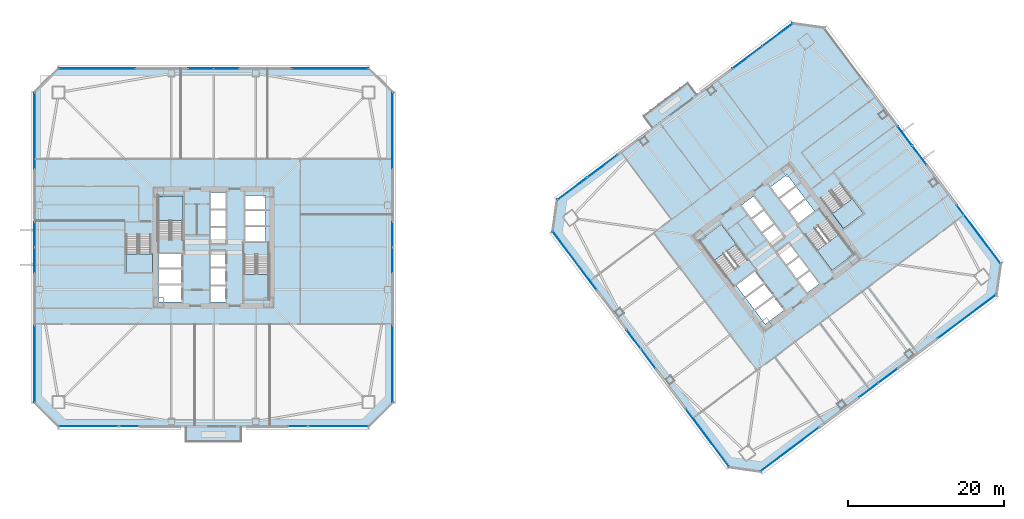
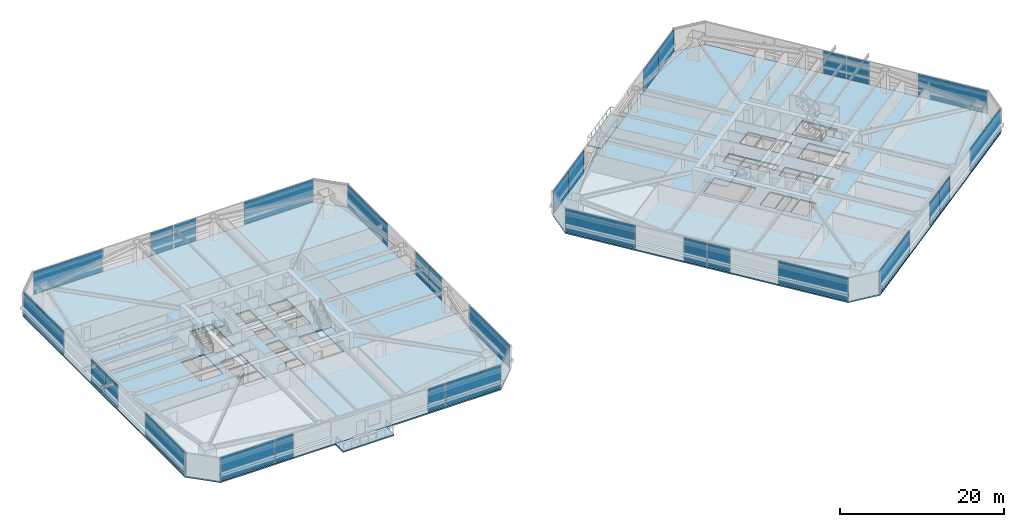
# One storey, part 32 of 46: 31 plates, 10 slabs, 29 elements without a shape of their own.
"""IFC4 building model written with IfcOpenShell, lengths in metres."""

from ifc_helpers import new_model, si_unit, direction, frame, origin, origin_2d, place, context, subcontext, project, spatial, polyline, rectangle, outline, extrude, material, layer, layer_set, type_object, element, aggregate, save


model = new_model("IFC4")

# Units and contexts
model_context = context("Model", 3, precision=1e-05, world=origin(), true_north=direction((0.0, 1.0)))
body_context = subcontext(model_context, "Body", "Model", "MODEL_VIEW")
ifc_project = project(units=[si_unit("LENGTHUNIT", "METRE"), si_unit("AREAUNIT", "SQUARE_METRE"), si_unit("VOLUMEUNIT", "CUBIC_METRE"), si_unit("PLANEANGLEUNIT", "RADIAN"), si_unit("MASSUNIT", "GRAM", prefix="KILO")], contexts=[model_context])

# Site, building, storey
site_placement = place(None, origin())
site = spatial("IfcSite", under=ifc_project, at=site_placement, CompositionType="ELEMENT")
building_placement = place(site_placement, origin())
building = spatial("IfcBuilding", under=site, at=building_placement, Name="Tashvorn Skyway Center", CompositionType="ELEMENT")
storey_placement = place(building_placement, frame((0.0, 0.0, 38.800048828125)))
storey = spatial("IfcBuildingStorey", under=building, at=storey_placement, Name="L09", CompositionType="ELEMENT", Elevation=38.800048828125)

# Curtain wall, plate
ifc_material_1 = material(Name="Thermally broken bronze-anodized aluminium 6063-T6", Category="aluminium")
curtain_wall_type = type_object("IfcCurtainWallType", Name="CW-CW-Z1", PredefinedType="NOTDEFINED", material=ifc_material_1)
curtain_wall_1_placement = place(storey_placement, origin())
curtain_wall_1 = element("IfcCurtainWall", 1, at=curtain_wall_1_placement, inside=storey, type_object=curtain_wall_type, Name="Tower 1 L09 South Curtain Wall L Glazing Group 1", PredefinedType="NOTDEFINED")
ifc_material_2 = material(Name="Low-E solar-control double insulating safety glass", Category="glass")
ifc_layer_1 = layer(ifc_material_2, 0.048095703125)
ifc_layer_set_1 = layer_set([ifc_layer_1], Name="Low-E solar-control double insulating safety glass")
plate_type = type_object("IfcPlateType", Name="CWP-CW-Z1", PredefinedType="CURTAIN_PANEL", material=ifc_layer_set_1)
plate_1_placement = place(storey_placement, frame((57.972412109375, 9.1201171875, 0.0849609375), z_axis=(0.0, 0.0, 1.0), x_axis=(-1.0, 0.0, 0.0)))
plate_1 = element("IfcPlate", 2, at=plate_1_placement, type_object=plate_type, Name="CW-Z1 panel 1.1", PredefinedType="CURTAIN_PANEL", context=body_context, shape_type="SweptSolid", body=[
    extrude(rectangle(XDim=7.64501953125, YDim=0.048095703125, at=origin_2d()), origin(), (0.0, 0.0, 1.0), 3.3798828125),
])
aggregate(curtain_wall_1, [plate_1])

curtain_wall_2_placement = place(storey_placement, origin())
curtain_wall_2 = element("IfcCurtainWall", 3, at=curtain_wall_2_placement, inside=storey, type_object=curtain_wall_type, Name="Tower 1 L09 South Curtain Wall L Glazing Group 2", PredefinedType="NOTDEFINED")
plate_2_placement = place(storey_placement, frame((52.762451171875, 9.1201171875, 0.0849609375), z_axis=(0.0, 0.0, 1.0), x_axis=(-1.0, 0.0, 0.0)))
plate_2 = element("IfcPlate", 4, at=plate_2_placement, type_object=plate_type, Name="CW-Z1 panel 1.1", PredefinedType="CURTAIN_PANEL", context=body_context, shape_type="SweptSolid", body=[
    extrude(rectangle(XDim=2.43505859375, YDim=0.048095703125, at=origin_2d()), origin(), (0.0, 0.0, 1.0), 3.3798828125),
])
aggregate(curtain_wall_2, [plate_2])

curtain_wall_3_placement = place(storey_placement, origin())
curtain_wall_3 = element("IfcCurtainWall", 5, at=curtain_wall_3_placement, inside=storey, type_object=curtain_wall_type, Name="Tower 1 L09 South Curtain Wall R Glazing Group 1", PredefinedType="NOTDEFINED")
plate_3_placement = place(storey_placement, frame((31.237548828125, 9.1201171875, 0.0849609375), z_axis=(0.0, 0.0, 1.0), x_axis=(-1.0, 0.0, 0.0)))
plate_3 = element("IfcPlate", 6, at=plate_3_placement, type_object=plate_type, Name="CW-Z1 panel 1.1", PredefinedType="CURTAIN_PANEL", context=body_context, shape_type="SweptSolid", body=[
    extrude(rectangle(XDim=2.43505859375, YDim=0.048095703125, at=origin_2d()), origin(), (0.0, 0.0, 1.0), 3.3798828125),
])
aggregate(curtain_wall_3, [plate_3])

curtain_wall_4_placement = place(storey_placement, origin())
curtain_wall_4 = element("IfcCurtainWall", 7, at=curtain_wall_4_placement, inside=storey, type_object=curtain_wall_type, Name="Tower 1 L09 South Curtain Wall R Glazing Group 2", PredefinedType="NOTDEFINED")
plate_4_placement = place(storey_placement, frame((26.027587890625, 9.1201171875, 0.0849609375), z_axis=(0.0, 0.0, 1.0), x_axis=(-1.0, 0.0, 0.0)))
plate_4 = element("IfcPlate", 8, at=plate_4_placement, type_object=plate_type, Name="CW-Z1 panel 1.1", PredefinedType="CURTAIN_PANEL", context=body_context, shape_type="SweptSolid", body=[
    extrude(rectangle(XDim=7.64501953125, YDim=0.048095703125, at=origin_2d()), origin(), (0.0, 0.0, 1.0), 3.3798828125),
])
aggregate(curtain_wall_4, [plate_4])

curtain_wall_5_placement = place(storey_placement, origin())
curtain_wall_5 = element("IfcCurtainWall", 9, at=curtain_wall_5_placement, inside=storey, type_object=curtain_wall_type, Name="Tower 1 L09 West Unitised Curtain Wall Glazing Group 1", PredefinedType="NOTDEFINED")
plate_5_placement = place(storey_placement, frame((19.1201171875, 17.090087890625, 0.0849609375), z_axis=(0.0, 0.0, 1.0), x_axis=(0.0, 1.0, 0.0)))
plate_5 = element("IfcPlate", 10, at=plate_5_placement, type_object=plate_type, Name="CW-Z1 panel 1.1", PredefinedType="CURTAIN_PANEL", context=body_context, shape_type="SweptSolid", body=[
    extrude(rectangle(XDim=9.77001953125, YDim=0.048095703125, at=origin_2d()), origin(), (0.0, 0.0, 1.0), 3.3798828125),
])
aggregate(curtain_wall_5, [plate_5])

# Curtain wall, plates
curtain_wall_6_placement = place(storey_placement, origin())
curtain_wall_6 = element("IfcCurtainWall", 11, at=curtain_wall_6_placement, inside=storey, type_object=curtain_wall_type, Name="Tower 1 L09 West Unitised Curtain Wall Glazing Group 2", PredefinedType="NOTDEFINED")
plate_6_placement = place(storey_placement, frame((19.1201171875, 30.364501953125, 0.0849609375), z_axis=(0.0, 0.0, 1.0), x_axis=(0.0, 1.0, 0.0)))
plate_6 = element("IfcPlate", 12, at=plate_6_placement, type_object=plate_type, Name="CW-Z1 panel 1.1", PredefinedType="CURTAIN_PANEL", context=body_context, shape_type="SweptSolid", body=[
    extrude(rectangle(XDim=3.185791015625, YDim=0.048095703125, at=origin_2d()), origin(), (0.0, 0.0, 1.0), 3.3798828125),
])
plate_7_placement = place(storey_placement, frame((19.1201171875, 33.635498046875, 0.0849609375), z_axis=(0.0, 0.0, 1.0), x_axis=(0.0, 1.0, 0.0)))
plate_7 = element("IfcPlate", 13, at=plate_7_placement, type_object=plate_type, Name="CW-Z1 panel 2.1", PredefinedType="CURTAIN_PANEL", context=body_context, shape_type="SweptSolid", body=[
    extrude(rectangle(XDim=3.185791015625, YDim=0.048095703125, at=origin_2d()), origin(), (0.0, 0.0, 1.0), 3.3798828125),
])
aggregate(curtain_wall_6, [plate_6, plate_7])

# Curtain wall, plate
curtain_wall_7_placement = place(storey_placement, origin())
curtain_wall_7 = element("IfcCurtainWall", 14, at=curtain_wall_7_placement, inside=storey, type_object=curtain_wall_type, Name="Tower 1 L09 West Unitised Curtain Wall Glazing Group 3", PredefinedType="NOTDEFINED")
plate_8_placement = place(storey_placement, frame((19.1201171875, 46.909912109375, 0.0849609375), z_axis=(0.0, 0.0, 1.0), x_axis=(0.0, 1.0, 0.0)))
plate_8 = element("IfcPlate", 15, at=plate_8_placement, type_object=plate_type, Name="CW-Z1 panel 1.1", PredefinedType="CURTAIN_PANEL", context=body_context, shape_type="SweptSolid", body=[
    extrude(rectangle(XDim=9.77001953125, YDim=0.048095703125, at=origin_2d()), origin(), (0.0, 0.0, 1.0), 3.3798828125),
])
aggregate(curtain_wall_7, [plate_8])

curtain_wall_8_placement = place(storey_placement, origin())
curtain_wall_8 = element("IfcCurtainWall", 16, at=curtain_wall_8_placement, inside=storey, type_object=curtain_wall_type, Name="Tower 1 L09 North Unitised Curtain Wall Glazing Group 1", PredefinedType="NOTDEFINED")
plate_9_placement = place(storey_placement, frame((27.090087890625, 54.8798828125, 0.0849609375), z_axis=(0.0, 0.0, 1.0), x_axis=(1.0, 0.0, 0.0)))
plate_9 = element("IfcPlate", 17, at=plate_9_placement, type_object=plate_type, Name="CW-Z1 panel 1.1", PredefinedType="CURTAIN_PANEL", context=body_context, shape_type="SweptSolid", body=[
    extrude(rectangle(XDim=9.77001953125, YDim=0.048095703125, at=origin_2d()), origin(), (0.0, 0.0, 1.0), 3.3798828125),
])
aggregate(curtain_wall_8, [plate_9])

# Curtain wall, plates
curtain_wall_9_placement = place(storey_placement, origin())
curtain_wall_9 = element("IfcCurtainWall", 18, at=curtain_wall_9_placement, inside=storey, type_object=curtain_wall_type, Name="Tower 1 L09 North Unitised Curtain Wall Glazing Group 2", PredefinedType="NOTDEFINED")
plate_10_placement = place(storey_placement, frame((40.364501953125, 54.8798828125, 0.0849609375), z_axis=(0.0, 0.0, 1.0), x_axis=(1.0, 0.0, 0.0)))
plate_10 = element("IfcPlate", 19, at=plate_10_placement, type_object=plate_type, Name="CW-Z1 panel 1.1", PredefinedType="CURTAIN_PANEL", context=body_context, shape_type="SweptSolid", body=[
    extrude(rectangle(XDim=3.185791015625, YDim=0.048095703125, at=origin_2d()), origin(), (0.0, 0.0, 1.0), 3.3798828125),
])
plate_11_placement = place(storey_placement, frame((43.635498046875, 54.8798828125, 0.0849609375), z_axis=(0.0, 0.0, 1.0), x_axis=(1.0, 0.0, 0.0)))
plate_11 = element("IfcPlate", 20, at=plate_11_placement, type_object=plate_type, Name="CW-Z1 panel 2.1", PredefinedType="CURTAIN_PANEL", context=body_context, shape_type="SweptSolid", body=[
    extrude(rectangle(XDim=3.185791015625, YDim=0.048095703125, at=origin_2d()), origin(), (0.0, 0.0, 1.0), 3.3798828125),
])
aggregate(curtain_wall_9, [plate_10, plate_11])

# Curtain wall, plate
curtain_wall_10_placement = place(storey_placement, origin())
curtain_wall_10 = element("IfcCurtainWall", 21, at=curtain_wall_10_placement, inside=storey, type_object=curtain_wall_type, Name="Tower 1 L09 North Unitised Curtain Wall Glazing Group 3", PredefinedType="NOTDEFINED")
plate_12_placement = place(storey_placement, frame((56.909912109375, 54.8798828125, 0.0849609375), z_axis=(0.0, 0.0, 1.0), x_axis=(1.0, 0.0, 0.0)))
plate_12 = element("IfcPlate", 22, at=plate_12_placement, type_object=plate_type, Name="CW-Z1 panel 1.1", PredefinedType="CURTAIN_PANEL", context=body_context, shape_type="SweptSolid", body=[
    extrude(rectangle(XDim=9.77001953125, YDim=0.048095703125, at=origin_2d()), origin(), (0.0, 0.0, 1.0), 3.3798828125),
])
aggregate(curtain_wall_10, [plate_12])

curtain_wall_11_placement = place(storey_placement, origin())
curtain_wall_11 = element("IfcCurtainWall", 23, at=curtain_wall_11_placement, inside=storey, type_object=curtain_wall_type, Name="Tower 1 L09 East Unitised Curtain Wall Glazing Group 1", PredefinedType="NOTDEFINED")
plate_13_placement = place(storey_placement, frame((64.8798828125, 46.909912109375, 0.0849609375), z_axis=(0.0, 0.0, 1.0), x_axis=(0.0, -1.0, 0.0)))
plate_13 = element("IfcPlate", 24, at=plate_13_placement, type_object=plate_type, Name="CW-Z1 panel 1.1", PredefinedType="CURTAIN_PANEL", context=body_context, shape_type="SweptSolid", body=[
    extrude(rectangle(XDim=9.77001953125, YDim=0.048095703125, at=origin_2d()), origin(), (0.0, 0.0, 1.0), 3.3798828125),
])
aggregate(curtain_wall_11, [plate_13])

# Curtain wall, plates
curtain_wall_12_placement = place(storey_placement, origin())
curtain_wall_12 = element("IfcCurtainWall", 25, at=curtain_wall_12_placement, inside=storey, type_object=curtain_wall_type, Name="Tower 1 L09 East Unitised Curtain Wall Glazing Group 2", PredefinedType="NOTDEFINED")
plate_14_placement = place(storey_placement, frame((64.8798828125, 33.635498046875, 0.0849609375), z_axis=(0.0, 0.0, 1.0), x_axis=(0.0, -1.0, 0.0)))
plate_14 = element("IfcPlate", 26, at=plate_14_placement, type_object=plate_type, Name="CW-Z1 panel 1.1", PredefinedType="CURTAIN_PANEL", context=body_context, shape_type="SweptSolid", body=[
    extrude(rectangle(XDim=3.185791015625, YDim=0.048095703125, at=origin_2d()), origin(), (0.0, 0.0, 1.0), 3.3798828125),
])
plate_15_placement = place(storey_placement, frame((64.8798828125, 30.364501953125, 0.0849609375), z_axis=(0.0, 0.0, 1.0), x_axis=(0.0, -1.0, 0.0)))
plate_15 = element("IfcPlate", 27, at=plate_15_placement, type_object=plate_type, Name="CW-Z1 panel 2.1", PredefinedType="CURTAIN_PANEL", context=body_context, shape_type="SweptSolid", body=[
    extrude(rectangle(XDim=3.185791015625, YDim=0.048095703125, at=origin_2d()), origin(), (0.0, 0.0, 1.0), 3.3798828125),
])
aggregate(curtain_wall_12, [plate_14, plate_15])

# Curtain wall, plate
curtain_wall_13_placement = place(storey_placement, origin())
curtain_wall_13 = element("IfcCurtainWall", 28, at=curtain_wall_13_placement, inside=storey, type_object=curtain_wall_type, Name="Tower 1 L09 East Unitised Curtain Wall Glazing Group 3", PredefinedType="NOTDEFINED")
plate_16_placement = place(storey_placement, frame((64.8798828125, 17.090087890625, 0.0849609375), z_axis=(0.0, 0.0, 1.0), x_axis=(0.0, -1.0, 0.0)))
plate_16 = element("IfcPlate", 29, at=plate_16_placement, type_object=plate_type, Name="CW-Z1 panel 1.1", PredefinedType="CURTAIN_PANEL", context=body_context, shape_type="SweptSolid", body=[
    extrude(rectangle(XDim=9.77001953125, YDim=0.048095703125, at=origin_2d()), origin(), (0.0, 0.0, 1.0), 3.3798828125),
])
aggregate(curtain_wall_13, [plate_16])

curtain_wall_14_placement = place(storey_placement, origin())
curtain_wall_14 = element("IfcCurtainWall", 30, at=curtain_wall_14_placement, inside=storey, type_object=curtain_wall_type, Name="Tower 2 L09 South Unitised Curtain Wall Glazing Group 1", PredefinedType="NOTDEFINED")
plate_17_placement = place(storey_placement, frame((138.3359375, 23.152099609375, 0.0849609375), z_axis=(0.0, 0.0, 1.0), x_axis=(-0.799999999998, -0.600000000002, 0.0)))
plate_17 = element("IfcPlate", 31, at=plate_17_placement, type_object=plate_type, Name="CW-Z1 panel 1.1", PredefinedType="CURTAIN_PANEL", context=body_context, shape_type="SweptSolid", body=[
    extrude(rectangle(XDim=9.27001953125, YDim=0.048095703125, at=origin_2d()), origin(), (0.0, 0.0, 1.0), 3.3798828125),
])
aggregate(curtain_wall_14, [plate_17])

# Curtain wall, plates
curtain_wall_15_placement = place(storey_placement, origin())
curtain_wall_15 = element("IfcCurtainWall", 32, at=curtain_wall_15_placement, inside=storey, type_object=curtain_wall_type, Name="Tower 2 L09 South Unitised Curtain Wall Glazing Group 2", PredefinedType="NOTDEFINED")
plate_18_placement = place(storey_placement, frame((128.249755859375, 15.587158203125, 0.0849609375), z_axis=(0.0, 0.0, 1.0), x_axis=(-0.799996186392, -0.600005084776, 0.0)))
plate_18 = element("IfcPlate", 33, at=plate_18_placement, type_object=plate_type, Name="CW-Z1 panel 1.1", PredefinedType="CURTAIN_PANEL", context=body_context, shape_type="SweptSolid", body=[
    extrude(rectangle(XDim=3.01904296875, YDim=0.048095703125, at=origin_2d()), origin(), (0.0, 0.0, 1.0), 3.3798828125),
])
plate_19_placement = place(storey_placement, frame((125.766357421875, 13.724853515625, 0.0849609375), z_axis=(0.0, 0.0, 1.0), x_axis=(-0.799996186392, -0.600005084776, 0.0)))
plate_19 = element("IfcPlate", 34, at=plate_19_placement, type_object=plate_type, Name="CW-Z1 panel 2.1", PredefinedType="CURTAIN_PANEL", context=body_context, shape_type="SweptSolid", body=[
    extrude(rectangle(XDim=3.01904296875, YDim=0.048095703125, at=origin_2d()), origin(), (0.0, 0.0, 1.0), 3.3798828125),
])
aggregate(curtain_wall_15, [plate_18, plate_19])

# Curtain wall, plate
curtain_wall_16_placement = place(storey_placement, origin())
curtain_wall_16 = element("IfcCurtainWall", 35, at=curtain_wall_16_placement, inside=storey, type_object=curtain_wall_type, Name="Tower 2 L09 South Unitised Curtain Wall Glazing Group 3", PredefinedType="NOTDEFINED")
plate_20_placement = place(storey_placement, frame((115.679931640625, 6.159912109375, 0.0849609375), z_axis=(0.0, 0.0, 1.0), x_axis=(-0.799999999998, -0.600000000002, 0.0)))
plate_20 = element("IfcPlate", 36, at=plate_20_placement, type_object=plate_type, Name="CW-Z1 panel 1.1", PredefinedType="CURTAIN_PANEL", context=body_context, shape_type="SweptSolid", body=[
    extrude(rectangle(XDim=9.27001953125, YDim=0.048095703125, at=origin_2d()), origin(), (0.0, 0.0, 1.0), 3.3798828125),
])
aggregate(curtain_wall_16, [plate_20])

curtain_wall_17_placement = place(storey_placement, origin())
curtain_wall_17 = element("IfcCurtainWall", 37, at=curtain_wall_17_placement, inside=storey, type_object=curtain_wall_type, Name="Tower 2 L09 West Unitised Curtain Wall Glazing Group 1", PredefinedType="NOTDEFINED")
plate_21_placement = place(storey_placement, frame((105.152099609375, 7.6640625, 0.0849609375), z_axis=(0.0, 0.0, 1.0), x_axis=(-0.600000000002, 0.799999999998, 0.0)))
plate_21 = element("IfcPlate", 38, at=plate_21_placement, type_object=plate_type, Name="CW-Z1 panel 1.1", PredefinedType="CURTAIN_PANEL", context=body_context, shape_type="SweptSolid", body=[
    extrude(rectangle(XDim=9.27001953125, YDim=0.048095703125, at=origin_2d()), origin(), (0.0, 0.0, 1.0), 3.3798828125),
])
aggregate(curtain_wall_17, [plate_21])

# Curtain wall, plates
curtain_wall_18_placement = place(storey_placement, origin())
curtain_wall_18 = element("IfcCurtainWall", 39, at=curtain_wall_18_placement, inside=storey, type_object=curtain_wall_type, Name="Tower 2 L09 West Unitised Curtain Wall Glazing Group 2", PredefinedType="NOTDEFINED")
plate_22_placement = place(storey_placement, frame((97.587158203125, 17.750244140625, 0.0849609375), z_axis=(0.0, 0.0, 1.0), x_axis=(-0.600005084776, 0.799996186392, 0.0)))
plate_22 = element("IfcPlate", 40, at=plate_22_placement, type_object=plate_type, Name="CW-Z1 panel 1.1", PredefinedType="CURTAIN_PANEL", context=body_context, shape_type="SweptSolid", body=[
    extrude(rectangle(XDim=3.01904296875, YDim=0.048095703125, at=origin_2d()), origin(), (0.0, 0.0, 1.0), 3.3798828125),
])
plate_23_placement = place(storey_placement, frame((95.724853515625, 20.233642578125, 0.0849609375), z_axis=(0.0, 0.0, 1.0), x_axis=(-0.600005084776, 0.799996186392, 0.0)))
plate_23 = element("IfcPlate", 41, at=plate_23_placement, type_object=plate_type, Name="CW-Z1 panel 2.1", PredefinedType="CURTAIN_PANEL", context=body_context, shape_type="SweptSolid", body=[
    extrude(rectangle(XDim=3.01904296875, YDim=0.048095703125, at=origin_2d()), origin(), (0.0, 0.0, 1.0), 3.3798828125),
])
aggregate(curtain_wall_18, [plate_22, plate_23])

# Curtain wall, plate
curtain_wall_19_placement = place(storey_placement, origin())
curtain_wall_19 = element("IfcCurtainWall", 42, at=curtain_wall_19_placement, inside=storey, type_object=curtain_wall_type, Name="Tower 2 L09 West Unitised Curtain Wall Glazing Group 3", PredefinedType="NOTDEFINED")
plate_24_placement = place(storey_placement, frame((88.159912109375, 30.320068359375, 0.0849609375), z_axis=(0.0, 0.0, 1.0), x_axis=(-0.600000000002, 0.799999999998, 0.0)))
plate_24 = element("IfcPlate", 43, at=plate_24_placement, type_object=plate_type, Name="CW-Z1 panel 1.1", PredefinedType="CURTAIN_PANEL", context=body_context, shape_type="SweptSolid", body=[
    extrude(rectangle(XDim=9.27001953125, YDim=0.048095703125, at=origin_2d()), origin(), (0.0, 0.0, 1.0), 3.3798828125),
])
aggregate(curtain_wall_19, [plate_24])

# Curtain wall, plates
curtain_wall_20_placement = place(storey_placement, origin())
curtain_wall_20 = element("IfcCurtainWall", 44, at=curtain_wall_20_placement, inside=storey, type_object=curtain_wall_type, Name="Tower 2 L09 North Curtain Wall L Glazing Group 1", PredefinedType="NOTDEFINED")
plate_25_placement = place(storey_placement, frame((87.855712890625, 39.49169921875, 0.0849609375), z_axis=(0.0, 0.0, 1.0), x_axis=(0.800001230339, 0.599998359545, 0.0)))
plate_25 = element("IfcPlate", 45, at=plate_25_placement, type_object=plate_type, Name="CW-Z1 panel 1.1", PredefinedType="CURTAIN_PANEL", context=body_context, shape_type="SweptSolid", body=[
    extrude(rectangle(XDim=4.749267578125, YDim=0.048095703125, at=origin_2d()), origin(), (0.0, 0.0, 1.0), 3.3798828125),
])
plate_26_placement = place(storey_placement, frame((91.72314453125, 42.392333984375, 0.0849609375), z_axis=(0.0, 0.0, 1.0), x_axis=(0.800001230339, 0.599998359545, 0.0)))
plate_26 = element("IfcPlate", 46, at=plate_26_placement, type_object=plate_type, Name="CW-Z1 panel 2.1", PredefinedType="CURTAIN_PANEL", context=body_context, shape_type="SweptSolid", body=[
    extrude(rectangle(XDim=4.749267578125, YDim=0.048095703125, at=origin_2d()), origin(), (0.0, 0.0, 1.0), 3.3798828125),
])
aggregate(curtain_wall_20, [plate_25, plate_26])

curtain_wall_21_placement = place(storey_placement, origin())
curtain_wall_21 = element("IfcCurtainWall", 47, at=curtain_wall_21_placement, inside=storey, type_object=curtain_wall_type, Name="Tower 2 L09 North Curtain Wall R Glazing Group 1", PredefinedType="NOTDEFINED")
plate_27_placement = place(storey_placement, frame((110.260986328125, 56.295654296875, 0.0849609375), z_axis=(0.0, 0.0, 1.0), x_axis=(0.800001230339, 0.599998359545, 0.0)))
plate_27 = element("IfcPlate", 48, at=plate_27_placement, type_object=plate_type, Name="CW-Z1 panel 1.1", PredefinedType="CURTAIN_PANEL", context=body_context, shape_type="SweptSolid", body=[
    extrude(rectangle(XDim=4.749267578125, YDim=0.048095703125, at=origin_2d()), origin(), (0.0, 0.0, 1.0), 3.3798828125),
])
plate_28_placement = place(storey_placement, frame((114.12841796875, 59.1962890625, 0.0849609375), z_axis=(0.0, 0.0, 1.0), x_axis=(0.800001230339, 0.599998359545, 0.0)))
plate_28 = element("IfcPlate", 49, at=plate_28_placement, type_object=plate_type, Name="CW-Z1 panel 2.1", PredefinedType="CURTAIN_PANEL", context=body_context, shape_type="SweptSolid", body=[
    extrude(rectangle(XDim=4.749267578125, YDim=0.048095703125, at=origin_2d()), origin(), (0.0, 0.0, 1.0), 3.3798828125),
])
aggregate(curtain_wall_21, [plate_27, plate_28])

curtain_wall_22_placement = place(storey_placement, origin())
curtain_wall_22 = element("IfcCurtainWall", 50, at=curtain_wall_22_placement, inside=storey, type_object=curtain_wall_type, Name="Tower 2 L09 East Unitised Curtain Wall Glazing Group 2", PredefinedType="NOTDEFINED")
plate_29_placement = place(storey_placement, frame((130.412841796875, 46.249755859375, 0.0849609375), z_axis=(0.0, 0.0, 1.0), x_axis=(0.600005084776, -0.799996186392, 0.0)))
plate_29 = element("IfcPlate", 51, at=plate_29_placement, type_object=plate_type, Name="CW-Z1 panel 1.1", PredefinedType="CURTAIN_PANEL", context=body_context, shape_type="SweptSolid", body=[
    extrude(rectangle(XDim=3.01904296875, YDim=0.048095703125, at=origin_2d()), origin(), (0.0, 0.0, 1.0), 3.3798828125),
])
plate_30_placement = place(storey_placement, frame((132.275146484375, 43.766357421875, 0.0849609375), z_axis=(0.0, 0.0, 1.0), x_axis=(0.600005084776, -0.799996186392, 0.0)))
plate_30 = element("IfcPlate", 52, at=plate_30_placement, type_object=plate_type, Name="CW-Z1 panel 2.1", PredefinedType="CURTAIN_PANEL", context=body_context, shape_type="SweptSolid", body=[
    extrude(rectangle(XDim=3.01904296875, YDim=0.048095703125, at=origin_2d()), origin(), (0.0, 0.0, 1.0), 3.3798828125),
])
aggregate(curtain_wall_22, [plate_29, plate_30])

# Curtain wall, plate
curtain_wall_23_placement = place(storey_placement, origin())
curtain_wall_23 = element("IfcCurtainWall", 53, at=curtain_wall_23_placement, inside=storey, type_object=curtain_wall_type, Name="Tower 2 L09 East Unitised Curtain Wall Glazing Group 3", PredefinedType="NOTDEFINED")
plate_31_placement = place(storey_placement, frame((139.840087890625, 33.679931640625, 0.0849609375), z_axis=(0.0, 0.0, 1.0), x_axis=(0.600000000002, -0.799999999998, 0.0)))
plate_31 = element("IfcPlate", 54, at=plate_31_placement, type_object=plate_type, Name="CW-Z1 panel 1.1", PredefinedType="CURTAIN_PANEL", context=body_context, shape_type="SweptSolid", body=[
    extrude(rectangle(XDim=9.27001953125, YDim=0.048095703125, at=origin_2d()), origin(), (0.0, 0.0, 1.0), 3.3798828125),
])
aggregate(curtain_wall_23, [plate_31])

# Slabs
ifc_material_3 = material(Name="Concrete C40/50", Category="concrete")
ifc_layer_2 = layer(ifc_material_3, 0.199951171875)
ifc_layer_set_2 = layer_set([ifc_layer_2], Name="Concrete C40/50")
slab_type_1 = type_object("IfcSlabType", Name="SLAB-FLR-200", PredefinedType="FLOOR", material=ifc_layer_set_2)
slab_1_placement = place(storey_placement, frame((0.0, 0.0, -0.199951171875)))
element("IfcSlab", 55, at=slab_1_placement, inside=storey, type_object=slab_type_1, Name="Tower 1 L09 Composite Floor Slab", PredefinedType="FLOOR", context=body_context, shape_type="SweptSolid", body=[
    extrude(outline(polyline([(22.199951171875, 9.0), (61.800048828125, 9.0), (65.0, 12.199951171875), (65.0, 51.800048828125), (61.800048828125, 55.0), (22.199951171875, 55.0), (19.0, 51.800048828125), (19.0, 12.199951171875), (22.199951171875, 9.0)]), holes=[polyline([(38.10009765625, 33.080078125), (38.10009765625, 38.60009765625), (34.89990234375, 38.60009765625), (34.89990234375, 33.080078125), (38.10009765625, 33.080078125)]), polyline([(45.89990234375, 30.919921875), (45.89990234375, 25.39990234375), (49.10009765625, 25.39990234375), (49.10009765625, 30.919921875), (45.89990234375, 30.919921875)]), polyline([(30.800048828125, 33.52001953125), (30.800048828125, 28.800048828125), (34.0, 28.800048828125), (34.0, 33.52001953125), (30.800048828125, 33.52001953125)]), polyline([(34.949951171875, 29.35009765625), (37.949951171875, 29.35009765625), (37.949951171875, 31.199951171875), (34.949951171875, 31.199951171875), (34.949951171875, 29.35009765625)]), polyline([(34.949951171875, 27.35009765625), (37.949951171875, 27.35009765625), (37.949951171875, 29.199951171875), (34.949951171875, 29.199951171875), (34.949951171875, 27.35009765625)]), polyline([(34.949951171875, 25.0), (37.949951171875, 25.0), (37.949951171875, 27.14990234375), (34.949951171875, 27.14990234375), (34.949951171875, 25.0)]), polyline([(41.64990234375, 25.0), (43.550048828125, 25.0), (43.550048828125, 27.050048828125), (41.64990234375, 27.050048828125), (41.64990234375, 25.0)]), polyline([(41.64990234375, 27.25), (43.550048828125, 27.25), (43.550048828125, 29.300048828125), (41.64990234375, 29.300048828125), (41.64990234375, 27.25)]), polyline([(41.64990234375, 29.5), (43.550048828125, 29.5), (43.550048828125, 31.550048828125), (41.64990234375, 31.550048828125), (41.64990234375, 29.5)]), polyline([(41.64990234375, 32.449951171875), (43.550048828125, 32.449951171875), (43.550048828125, 34.5), (41.64990234375, 34.5), (41.64990234375, 32.449951171875)]), polyline([(41.64990234375, 34.699951171875), (43.550048828125, 34.699951171875), (43.550048828125, 36.75), (41.64990234375, 36.75), (41.64990234375, 34.699951171875)]), polyline([(41.64990234375, 36.949951171875), (43.550048828125, 36.949951171875), (43.550048828125, 39.0), (41.64990234375, 39.0), (41.64990234375, 36.949951171875)]), polyline([(46.050048828125, 32.800048828125), (48.64990234375, 32.800048828125), (48.64990234375, 34.64990234375), (46.050048828125, 34.64990234375), (46.050048828125, 32.800048828125)]), polyline([(46.050048828125, 34.85009765625), (48.64990234375, 34.85009765625), (48.64990234375, 36.699951171875), (46.050048828125, 36.699951171875), (46.050048828125, 34.85009765625)]), polyline([(46.050048828125, 36.89990234375), (48.64990234375, 36.89990234375), (48.64990234375, 38.64990234375), (46.050048828125, 38.64990234375), (46.050048828125, 36.89990234375)])]), origin(), (0.0, 0.0, 1.0), 0.199951171875),
])
slab_2_placement = place(storey_placement, frame((0.0, 0.0, -0.199951171875)))
element("IfcSlab", 56, at=slab_2_placement, inside=storey, type_object=slab_type_1, Name="Tower 2 L09 Composite Floor Slab", PredefinedType="FLOOR", context=body_context, shape_type="SweptSolid", body=[
    extrude(outline(polyline([(112.0400390625, 3.280029296875), (142.1201171875, 25.840087890625), (142.719970703125, 30.0400390625), (120.159912109375, 60.1201171875), (115.9599609375, 60.719970703125), (85.8798828125, 38.159912109375), (85.280029296875, 33.9599609375), (107.840087890625, 3.8798828125), (112.0400390625, 3.280029296875)]), holes=[polyline([(110.23193359375, 30.52392578125), (106.919921875, 34.93994140625), (104.135986328125, 32.85205078125), (107.447998046875, 28.43603515625), (110.23193359375, 30.52392578125)]), polyline([(117.76806640625, 33.47607421875), (121.080078125, 29.06005859375), (123.864013671875, 31.14794921875), (120.552001953125, 35.56396484375), (117.76806640625, 33.47607421875)]), polyline([(119.7119140625, 38.18408203125), (122.5439453125, 34.407958984375), (125.10400390625, 36.327880859375), (122.27197265625, 40.10400390625), (119.7119140625, 38.18408203125)]), polyline([(109.949951171875, 25.64990234375), (112.35009765625, 27.449951171875), (111.239990234375, 28.929931640625), (108.840087890625, 27.1298828125), (109.949951171875, 25.64990234375)]), polyline([(111.14990234375, 24.050048828125), (113.550048828125, 25.85009765625), (112.43994140625, 27.330078125), (110.0400390625, 25.530029296875), (111.14990234375, 24.050048828125)]), polyline([(112.56005859375, 22.169921875), (114.9599609375, 23.969970703125), (113.669921875, 25.68994140625), (111.27001953125, 23.889892578125), (112.56005859375, 22.169921875)]), polyline([(117.919921875, 26.18994140625), (119.43994140625, 27.330078125), (118.2099609375, 28.969970703125), (116.68994140625, 27.830078125), (117.919921875, 26.18994140625)]), polyline([(116.570068359375, 27.989990234375), (118.090087890625, 29.1298828125), (116.860107421875, 30.77001953125), (115.340087890625, 29.6298828125), (116.570068359375, 27.989990234375)]), polyline([(115.219970703125, 29.7900390625), (116.739990234375, 30.929931640625), (115.510009765625, 32.570068359375), (113.989990234375, 31.429931640625), (115.219970703125, 29.7900390625)]), polyline([(113.449951171875, 32.14990234375), (114.969970703125, 33.2900390625), (113.739990234375, 34.929931640625), (112.219970703125, 33.7900390625), (113.449951171875, 32.14990234375)]), polyline([(112.10009765625, 33.949951171875), (113.6201171875, 35.090087890625), (112.389892578125, 36.72998046875), (110.8701171875, 35.590087890625), (112.10009765625, 33.949951171875)]), polyline([(110.75, 35.75), (112.27001953125, 36.889892578125), (111.0400390625, 38.530029296875), (109.52001953125, 37.389892578125), (110.75, 35.75)]), polyline([(116.760009765625, 35.070068359375), (118.840087890625, 36.6298828125), (117.72998046875, 38.110107421875), (115.64990234375, 36.550048828125), (116.760009765625, 35.070068359375)]), polyline([(115.530029296875, 36.7099609375), (117.610107421875, 38.27001953125), (116.5, 39.75), (114.419921875, 38.18994140625), (115.530029296875, 36.7099609375)]), polyline([(114.300048828125, 38.35009765625), (116.3798828125, 39.909912109375), (115.330078125, 41.31005859375), (113.25, 39.75), (114.300048828125, 38.35009765625)])]), origin(), (0.0, 0.0, 1.0), 0.199951171875),
])

# Stair, slab
stair_type = type_object("IfcStairType", Name="STAIR-CORE-1500", PredefinedType="HALF_TURN_STAIR", material=ifc_material_3)
stair_1_placement = place(storey_placement, origin())
stair_1 = element("IfcStair", 57, at=stair_1_placement, inside=storey, type_object=stair_type, Name="L09 Tower 1 Exit Stair 1", PredefinedType="HALF_TURN_STAIR")
ifc_layer_3 = layer(ifc_material_3, 0.199951171875)
ifc_layer_set_3 = layer_set([ifc_layer_3], Name="Concrete C40/50")
slab_type_2 = type_object("IfcSlabType", Name="SLAB-LAND-200", PredefinedType="LANDING", material=ifc_layer_set_3)
slab_3_placement = place(storey_placement, frame((0.0, 0.0, 1.574951171875)))
slab_3 = element("IfcSlab", 58, at=slab_3_placement, type_object=slab_type_2, Name="ST-T1-1 landing 1", PredefinedType="LANDING", context=body_context, shape_type="SweptSolid", body=[
    extrude(outline(polyline([(38.10009765625, 35.43994140625), (38.10009765625, 38.60009765625), (34.89990234375, 38.60009765625), (34.89990234375, 35.43994140625), (38.10009765625, 35.43994140625)])), origin(), (0.0, 0.0, 1.0), 0.199951171875),
])
aggregate(stair_1, [slab_3])

stair_2_placement = place(storey_placement, origin())
stair_2 = element("IfcStair", 59, at=stair_2_placement, inside=storey, type_object=stair_type, Name="L09 Tower 1 Exit Stair 2", PredefinedType="HALF_TURN_STAIR")
slab_4_placement = place(storey_placement, frame((0.0, 0.0, 1.574951171875)))
slab_4 = element("IfcSlab", 60, at=slab_4_placement, type_object=slab_type_2, Name="ST-T1-2 landing 1", PredefinedType="LANDING", context=body_context, shape_type="SweptSolid", body=[
    extrude(outline(polyline([(45.89990234375, 28.56005859375), (45.89990234375, 25.39990234375), (49.10009765625, 25.39990234375), (49.10009765625, 28.56005859375), (45.89990234375, 28.56005859375)])), origin(), (0.0, 0.0, 1.0), 0.199951171875),
])
aggregate(stair_2, [slab_4])

stair_3_placement = place(storey_placement, origin())
stair_3 = element("IfcStair", 61, at=stair_3_placement, inside=storey, type_object=stair_type, Name="L09 Tower 2 Exit Stair 1", PredefinedType="HALF_TURN_STAIR")
slab_5_placement = place(storey_placement, frame((0.0, 0.0, 1.574951171875)))
slab_5 = element("IfcSlab", 62, at=slab_5_placement, type_object=slab_type_2, Name="ST-T2-1 landing 1", PredefinedType="LANDING", context=body_context, shape_type="SweptSolid", body=[
    extrude(outline(polyline([(108.82080078125, 32.405517578125), (106.919921875, 34.93994140625), (104.135986328125, 32.85205078125), (106.036865234375, 30.317626953125), (108.82080078125, 32.405517578125)])), origin(), (0.0, 0.0, 1.0), 0.199951171875),
])
aggregate(stair_3, [slab_5])

stair_4_placement = place(storey_placement, origin())
stair_4 = element("IfcStair", 63, at=stair_4_placement, inside=storey, type_object=stair_type, Name="L09 Tower 2 Exit Stair 2", PredefinedType="HALF_TURN_STAIR")
slab_6_placement = place(storey_placement, frame((0.0, 0.0, 1.574951171875)))
slab_6 = element("IfcSlab", 64, at=slab_6_placement, type_object=slab_type_2, Name="ST-T2-2 landing 1", PredefinedType="LANDING", context=body_context, shape_type="SweptSolid", body=[
    extrude(outline(polyline([(119.17919921875, 31.594482421875), (121.080078125, 29.06005859375), (123.864013671875, 31.14794921875), (121.963134765625, 33.682373046875), (119.17919921875, 31.594482421875)])), origin(), (0.0, 0.0, 1.0), 0.199951171875),
])
aggregate(stair_4, [slab_6])

stair_5_placement = place(storey_placement, origin())
stair_5 = element("IfcStair", 65, at=stair_5_placement, inside=storey, type_object=stair_type, Name="L09 Tower 1 Exit Stair 3", PredefinedType="HALF_TURN_STAIR")
slab_7_placement = place(storey_placement, frame((0.0, 0.0, 1.574951171875)))
slab_7 = element("IfcSlab", 66, at=slab_7_placement, type_object=slab_type_2, Name="ST-T1-3 landing 1", PredefinedType="LANDING", context=body_context, shape_type="SweptSolid", body=[
    extrude(outline(polyline([(30.800048828125, 31.159912109375), (30.800048828125, 28.800048828125), (34.199951171875, 28.800048828125), (34.199951171875, 31.159912109375), (30.800048828125, 31.159912109375)])), origin(), (0.0, 0.0, 1.0), 0.199951171875),
])
aggregate(stair_5, [slab_7])

stair_6_placement = place(storey_placement, origin())
stair_6 = element("IfcStair", 67, at=stair_6_placement, inside=storey, type_object=stair_type, Name="L09 Tower 2 Exit Stair 3", PredefinedType="HALF_TURN_STAIR")
slab_8_placement = place(storey_placement, frame((0.0, 0.0, 1.574951171875)))
slab_8 = element("IfcSlab", 68, at=slab_8_placement, type_object=slab_type_2, Name="ST-T2-3 landing 1", PredefinedType="LANDING", context=body_context, shape_type="SweptSolid", body=[
    extrude(outline(polyline([(121.123291015625, 36.302490234375), (122.5439453125, 34.407958984375), (125.10400390625, 36.327880859375), (123.68310546875, 38.222412109375), (121.123291015625, 36.302490234375)])), origin(), (0.0, 0.0, 1.0), 0.199951171875),
])
aggregate(stair_6, [slab_8])

# Slabs
ifc_layer_4 = layer(ifc_material_3, 0.179931640625)
ifc_layer_set_4 = layer_set([ifc_layer_4], Name="Concrete C40/50")
slab_type_3 = type_object("IfcSlabType", Name="SLAB-TERR-200", PredefinedType="FLOOR", material=ifc_layer_set_4)
slab_9_placement = place(storey_placement, frame((0.0, 0.0, -0.199951171875)))
element("IfcSlab", 69, at=slab_9_placement, inside=storey, type_object=slab_type_3, Name="Tower 1 L09 Spiral Planted Terrace Slab", PredefinedType="FLOOR", context=body_context, shape_type="SweptSolid", body=[
    extrude(outline(polyline([(38.39990234375, 7.10009765625), (45.60009765625, 7.10009765625), (45.60009765625, 9.010009765625), (38.39990234375, 9.010009765625), (38.39990234375, 7.10009765625)])), origin(), (0.0, 0.0, 1.0), 0.199951171875),
])
slab_10_placement = place(storey_placement, frame((0.0, 0.0, -0.199951171875)))
element("IfcSlab", 70, at=slab_10_placement, inside=storey, type_object=slab_type_3, Name="Tower 2 L09 Spiral Planted Terrace Slab", PredefinedType="FLOOR", context=body_context, shape_type="SweptSolid", body=[
    extrude(outline(polyline([(98.0458984375, 47.27197265625), (103.805908203125, 51.592041015625), (102.659912109375, 53.1201171875), (96.89990234375, 48.800048828125), (98.0458984375, 47.27197265625)])), origin(), (0.0, 0.0, 1.0), 0.199951171875),
])

save(model, "model.ifc")
